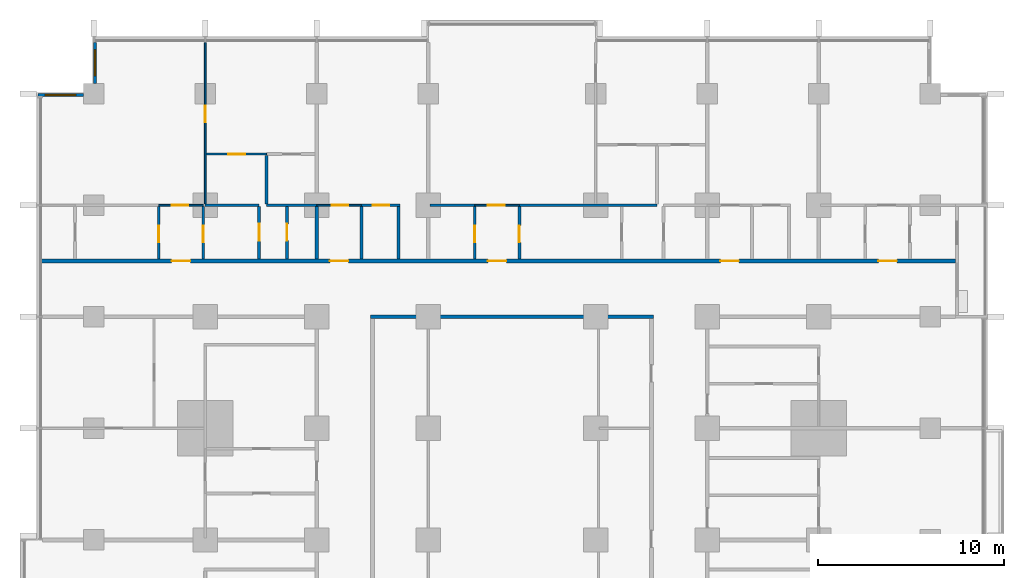
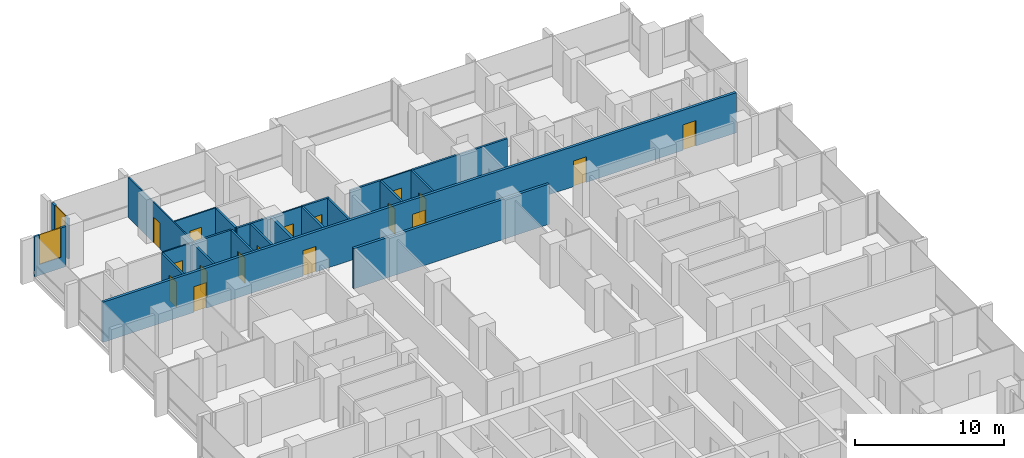
# One storey, part 11 of 18: 24 walls, 17 doors, 2 windows, 19 openings.
"""IFC4 building model written with IfcOpenShell, lengths in metres."""

from ifc_helpers import new_model, si_unit, direction, frame, frame_2d, origin, place, context, subcontext, project, spatial, rectangle, extrude, material, layer, layer_set, type_object, element, fill, save


model = new_model("IFC4")

# Units and contexts
model_context = context("Model", 3, precision=1e-05, world=origin(), true_north=direction((0.0, 1.0)))
body_context = subcontext(model_context, "Body", "Model", "MODEL_VIEW")
ifc_project = project(units=[si_unit("LENGTHUNIT", "METRE"), si_unit("AREAUNIT", "SQUARE_METRE"), si_unit("VOLUMEUNIT", "CUBIC_METRE"), si_unit("PLANEANGLEUNIT", "RADIAN"), si_unit("MASSUNIT", "GRAM", prefix="KILO")], contexts=[model_context])

# Site, building, storey
site_placement = place(None, origin())
site = spatial("IfcSite", under=ifc_project, at=site_placement, CompositionType="ELEMENT")
building_placement = place(site_placement, origin())
building = spatial("IfcBuilding", under=site, at=building_placement, Name="Finial Court Residences", CompositionType="ELEMENT")
storey_placement = place(building_placement, frame((0.0, 0.0, 54.10009765625)))
storey = spatial("IfcBuildingStorey", under=building, at=storey_placement, Name="L12", CompositionType="ELEMENT", Elevation=54.10009765625)

# Walls
ifc_material_1 = material(Name="Gypsum board")
ifc_layer_1 = layer(ifc_material_1, 0.02490234375)
ifc_material_2 = material(Name="Acoustic mineral wool in double frame")
ifc_layer_2 = layer(ifc_material_2, 0.14990234375)
ifc_layer_3 = layer(ifc_material_1, 0.02490234375)
ifc_layer_set_1 = layer_set([ifc_layer_1, ifc_layer_2, ifc_layer_3], Name="Acoustic party wall 200, 1 hour")
wall_type_1 = type_object("IfcWallType", Name="Acoustic party wall 200, 1 hour", PredefinedType="PARTITIONING", material=ifc_layer_set_1)
wall_1_placement = place(storey_placement, frame((-10.5, 16.60009765625, 0.0), z_axis=(0.0, 0.0, 1.0), x_axis=(0.0, 1.0, 0.0)))
element("IfcWall", 1, at=wall_1_placement, inside=storey, type_object=wall_type_1, Name="Partition L12-074", PredefinedType="PARTITIONING", context=body_context, shape_type="SweptSolid", body=[
    extrude(rectangle(XDim=2.824951171875, YDim=0.199951171875, at=frame_2d((1.41259765625, 0.0))), origin(), (0.0, 0.0, 1.0), 3.2998046875),
])
ifc_layer_4 = layer(ifc_material_1, 0.02490234375)
ifc_layer_5 = layer(ifc_material_2, 0.14990234375)
ifc_layer_6 = layer(ifc_material_1, 0.02490234375)
ifc_layer_set_2 = layer_set([ifc_layer_4, ifc_layer_5, ifc_layer_6], Name="Corridor wall 200, 1 hour")
wall_type_2 = type_object("IfcWallType", Name="Corridor wall 200, 1 hour", PredefinedType="PARTITIONING", material=ifc_layer_set_2)
wall_2_placement = place(storey_placement, frame((-7.60009765625, 13.5, 0.0), z_axis=(0.0, 0.0, 1.0), x_axis=(1.0, 0.0, 0.0)))
element("IfcWall", 2, at=wall_2_placement, inside=storey, type_object=wall_type_2, Name="Partition L12-032", PredefinedType="PARTITIONING", context=body_context, shape_type="SweptSolid", body=[
    extrude(rectangle(XDim=15.2001953125, YDim=0.199951171875, at=frame_2d((7.60009765625, 0.0))), origin(), (0.0, 0.0, 1.0), 3.2998046875),
])

# Wall, openings, doors
wall_3_placement = place(storey_placement, frame((-25.35009765625, 16.5, 0.0), z_axis=(0.0, 0.0, 1.0), x_axis=(1.0, 0.0, 0.0)))
wall_3 = element("IfcWall", 3, at=wall_3_placement, inside=storey, type_object=wall_type_2, Name="Partition L12-034", PredefinedType="PARTITIONING", context=body_context, shape_type="SweptSolid", body=[
    extrude(rectangle(XDim=49.2001953125, YDim=0.199951171875, at=frame_2d((24.60009765625, 0.0))), origin(), (0.0, 0.0, 1.0), 3.2998046875),
])
opening_1_placement = place(wall_3_placement, frame((7.050048828125, 0.0, 0.0)))
opening_1 = element("IfcOpeningElement", 4, at=opening_1_placement, cuts=wall_3, Name="Opening L12-D015", PredefinedType="OPENING", context=body_context, shape_type="SweptSolid", body=[
    extrude(rectangle(XDim=1.0, YDim=2.10009765625, at=frame_2d((0.5, 1.050048828125))), frame((0.0, 0.10986328125, 0.0), z_axis=(0.0, -1.0, 0.0), x_axis=(1.0, 0.0, 0.0)), (0.0, 0.0, 1.0), 0.219970703125),
])
opening_2_placement = place(wall_3_placement, frame((15.550048828125, 0.0, 0.0)))
opening_2 = element("IfcOpeningElement", 5, at=opening_2_placement, cuts=wall_3, Name="Opening L12-D016", PredefinedType="OPENING", context=body_context, shape_type="SweptSolid", body=[
    extrude(rectangle(XDim=1.0, YDim=2.10009765625, at=frame_2d((0.5, 1.050048828125))), frame((0.0, 0.10986328125, 0.0), z_axis=(0.0, -1.0, 0.0), x_axis=(1.0, 0.0, 0.0)), (0.0, 0.0, 1.0), 0.219970703125),
])
opening_3_placement = place(wall_3_placement, frame((24.050048828125, 0.0, 0.0)))
opening_3 = element("IfcOpeningElement", 6, at=opening_3_placement, cuts=wall_3, Name="Opening L12-D017", PredefinedType="OPENING", context=body_context, shape_type="SweptSolid", body=[
    extrude(rectangle(XDim=1.0, YDim=2.10009765625, at=frame_2d((0.5, 1.050048828125))), frame((0.0, 0.10986328125, 0.0), z_axis=(0.0, -1.0, 0.0), x_axis=(1.0, 0.0, 0.0)), (0.0, 0.0, 1.0), 0.219970703125),
])
opening_4_placement = place(wall_3_placement, frame((36.550048828125, 0.0, 0.0)))
opening_4 = element("IfcOpeningElement", 7, at=opening_4_placement, cuts=wall_3, Name="Opening L12-D018", PredefinedType="OPENING", context=body_context, shape_type="SweptSolid", body=[
    extrude(rectangle(XDim=1.0, YDim=2.10009765625, at=frame_2d((0.5, 1.050048828125))), frame((0.0, 0.10986328125, 0.0), z_axis=(0.0, -1.0, 0.0), x_axis=(1.0, 0.0, 0.0)), (0.0, 0.0, 1.0), 0.219970703125),
])
opening_5_placement = place(wall_3_placement, frame((45.050048828125, 0.0, 0.0)))
opening_5 = element("IfcOpeningElement", 8, at=opening_5_placement, cuts=wall_3, Name="Opening L12-D019", PredefinedType="OPENING", context=body_context, shape_type="SweptSolid", body=[
    extrude(rectangle(XDim=1.0, YDim=2.10009765625, at=frame_2d((0.5, 1.050048828125))), frame((0.0, 0.10986328125, 0.0), z_axis=(0.0, -1.0, 0.0), x_axis=(1.0, 0.0, 0.0)), (0.0, 0.0, 1.0), 0.219970703125),
])
ifc_material_3 = material(Name="Timber door leaf in hollow metal frame", Category="wood")
door_type_1 = type_object("IfcDoorType", Name="Fire door set 1000 x 2100, 30 minutes", OperationType="SINGLE_SWING_LEFT", PredefinedType="DOOR", material=ifc_material_3)
door_1_placement = place(opening_1_placement, origin())
door_1 = element("IfcDoor", 9, at=door_1_placement, inside=storey, type_object=door_type_1, Name="Door L12-D015", OperationType="SINGLE_SWING_RIGHT", OverallHeight=2.10009765625, OverallWidth=1.0, PredefinedType="DOOR", context=body_context, shape_type="SweptSolid", body=[
    extrude(rectangle(XDim=1.0, YDim=2.10009765625, at=frame_2d((0.5, 1.050048828125))), frame((0.0, 0.02490234375, 0.0), z_axis=(0.0, -1.0, 0.0), x_axis=(1.0, 0.0, 0.0)), (0.0, 0.0, 1.0), 0.050048828125),
])
fill(opening_1, door_1)
door_2_placement = place(opening_2_placement, origin())
door_2 = element("IfcDoor", 10, at=door_2_placement, inside=storey, type_object=door_type_1, Name="Door L12-D016", OperationType="SINGLE_SWING_RIGHT", OverallHeight=2.10009765625, OverallWidth=1.0, PredefinedType="DOOR", context=body_context, shape_type="SweptSolid", body=[
    extrude(rectangle(XDim=1.0, YDim=2.10009765625, at=frame_2d((0.5, 1.050048828125))), frame((0.0, 0.02490234375, 0.0), z_axis=(0.0, -1.0, 0.0), x_axis=(1.0, 0.0, 0.0)), (0.0, 0.0, 1.0), 0.050048828125),
])
fill(opening_2, door_2)
door_3_placement = place(opening_3_placement, origin())
door_3 = element("IfcDoor", 11, at=door_3_placement, inside=storey, type_object=door_type_1, Name="Door L12-D017", OperationType="SINGLE_SWING_RIGHT", OverallHeight=2.10009765625, OverallWidth=1.0, PredefinedType="DOOR", context=body_context, shape_type="SweptSolid", body=[
    extrude(rectangle(XDim=1.0, YDim=2.10009765625, at=frame_2d((0.5, 1.050048828125))), frame((0.0, 0.02490234375, 0.0), z_axis=(0.0, -1.0, 0.0), x_axis=(1.0, 0.0, 0.0)), (0.0, 0.0, 1.0), 0.050048828125),
])
fill(opening_3, door_3)
door_4_placement = place(opening_4_placement, origin())
door_4 = element("IfcDoor", 12, at=door_4_placement, inside=storey, type_object=door_type_1, Name="Door L12-D018", OperationType="SINGLE_SWING_LEFT", OverallHeight=2.10009765625, OverallWidth=1.0, PredefinedType="DOOR", context=body_context, shape_type="SweptSolid", body=[
    extrude(rectangle(XDim=1.0, YDim=2.10009765625, at=frame_2d((0.5, 1.050048828125))), frame((0.0, 0.02490234375, 0.0), z_axis=(0.0, -1.0, 0.0), x_axis=(1.0, 0.0, 0.0)), (0.0, 0.0, 1.0), 0.050048828125),
])
fill(opening_4, door_4)
door_5_placement = place(opening_5_placement, origin())
door_5 = element("IfcDoor", 13, at=door_5_placement, inside=storey, type_object=door_type_1, Name="Door L12-D019", OperationType="SINGLE_SWING_LEFT", OverallHeight=2.10009765625, OverallWidth=1.0, PredefinedType="DOOR", context=body_context, shape_type="SweptSolid", body=[
    extrude(rectangle(XDim=1.0, YDim=2.10009765625, at=frame_2d((0.5, 1.050048828125))), frame((0.0, 0.02490234375, 0.0), z_axis=(0.0, -1.0, 0.0), x_axis=(1.0, 0.0, 0.0)), (0.0, 0.0, 1.0), 0.050048828125),
])
fill(opening_5, door_5)

# Wall, opening, door
ifc_layer_7 = layer(ifc_material_1, 0.012451171875)
ifc_material_4 = material(Name="Mineral wool in light-gauge frame")
ifc_layer_8 = layer(ifc_material_4, 0.074951171875)
ifc_layer_9 = layer(ifc_material_1, 0.012451171875)
ifc_layer_set_3 = layer_set([ifc_layer_7, ifc_layer_8, ifc_layer_9], Name="Gypsum board partition 100")
wall_type_3 = type_object("IfcWallType", Name="Gypsum board partition 100", PredefinedType="PARTITIONING", material=ifc_layer_set_3)
wall_4_placement = place(storey_placement, frame((-19.0, 19.5, 0.0), z_axis=(0.0, 0.0, 1.0), x_axis=(1.0, 0.0, 0.0)))
wall_4 = element("IfcWall", 14, at=wall_4_placement, inside=storey, type_object=wall_type_3, Name="Partition L12-036", PredefinedType="PARTITIONING", context=body_context, shape_type="SweptSolid", body=[
    extrude(rectangle(XDim=2.39990234375, YDim=0.10009765625, at=frame_2d((1.199951171875, 0.0))), origin(), (0.0, 0.0, 1.0), 3.2998046875),
])
opening_6_placement = place(wall_4_placement, frame((0.699951171875, 0.0, 0.0)))
opening_6 = element("IfcOpeningElement", 15, at=opening_6_placement, cuts=wall_4, Name="Opening L12-D020", PredefinedType="OPENING", context=body_context, shape_type="SweptSolid", body=[
    extrude(rectangle(XDim=0.89990234375, YDim=2.10009765625, at=frame_2d((0.449951171875, 1.050048828125))), frame((0.0, 0.06005859375, 0.0), z_axis=(0.0, -1.0, 0.0), x_axis=(1.0, 0.0, 0.0)), (0.0, 0.0, 1.0), 0.1201171875),
])
ifc_material_5 = material(Name="Timber door leaf in timber frame", Category="wood")
door_type_2 = type_object("IfcDoorType", Name="Door set 900 x 2100", OperationType="SINGLE_SWING_LEFT", PredefinedType="DOOR", material=ifc_material_5)
door_6_placement = place(opening_6_placement, origin())
door_6 = element("IfcDoor", 16, at=door_6_placement, inside=storey, type_object=door_type_2, Name="Door L12-D020", OperationType="SINGLE_SWING_RIGHT", OverallHeight=2.10009765625, OverallWidth=0.89990234375, PredefinedType="DOOR", context=body_context, shape_type="SweptSolid", body=[
    extrude(rectangle(XDim=0.89990234375, YDim=2.10009765625, at=frame_2d((0.449951171875, 1.050048828125))), frame((0.0, 0.02490234375, 0.0), z_axis=(0.0, -1.0, 0.0), x_axis=(1.0, 0.0, 0.0)), (0.0, 0.0, 1.0), 0.050048828125),
])
fill(opening_6, door_6)

wall_5_placement = place(storey_placement, frame((-10.5, 19.5, 0.0), z_axis=(0.0, 0.0, 1.0), x_axis=(1.0, 0.0, 0.0)))
wall_5 = element("IfcWall", 17, at=wall_5_placement, inside=storey, type_object=wall_type_3, Name="Partition L12-037", PredefinedType="PARTITIONING", context=body_context, shape_type="SweptSolid", body=[
    extrude(rectangle(XDim=2.39990234375, YDim=0.10009765625, at=frame_2d((1.199951171875, 0.0))), origin(), (0.0, 0.0, 1.0), 3.2998046875),
])
opening_7_placement = place(wall_5_placement, frame((0.800048828125, 0.0, 0.0)))
opening_7 = element("IfcOpeningElement", 18, at=opening_7_placement, cuts=wall_5, Name="Opening L12-D021", PredefinedType="OPENING", context=body_context, shape_type="SweptSolid", body=[
    extrude(rectangle(XDim=0.89990234375, YDim=2.10009765625, at=frame_2d((0.449951171875, 1.050048828125))), frame((0.0, 0.06005859375, 0.0), z_axis=(0.0, -1.0, 0.0), x_axis=(1.0, 0.0, 0.0)), (0.0, 0.0, 1.0), 0.1201171875),
])
door_7_placement = place(opening_7_placement, origin())
door_7 = element("IfcDoor", 19, at=door_7_placement, inside=storey, type_object=door_type_2, Name="Door L12-D021", OperationType="SINGLE_SWING_RIGHT", OverallHeight=2.10009765625, OverallWidth=0.89990234375, PredefinedType="DOOR", context=body_context, shape_type="SweptSolid", body=[
    extrude(rectangle(XDim=0.89990234375, YDim=2.10009765625, at=frame_2d((0.449951171875, 1.050048828125))), frame((0.0, 0.02490234375, 0.0), z_axis=(0.0, -1.0, 0.0), x_axis=(1.0, 0.0, 0.0)), (0.0, 0.0, 1.0), 0.050048828125),
])
fill(opening_7, door_7)

wall_6_placement = place(storey_placement, frame((-2.0, 19.5, 0.0), z_axis=(0.0, 0.0, 1.0), x_axis=(1.0, 0.0, 0.0)))
wall_6 = element("IfcWall", 20, at=wall_6_placement, inside=storey, type_object=wall_type_3, Name="Partition L12-038", PredefinedType="PARTITIONING", context=body_context, shape_type="SweptSolid", body=[
    extrude(rectangle(XDim=2.39990234375, YDim=0.10009765625, at=frame_2d((1.199951171875, 0.0))), origin(), (0.0, 0.0, 1.0), 3.2998046875),
])
opening_8_placement = place(wall_6_placement, frame((0.699951171875, 0.0, 0.0)))
opening_8 = element("IfcOpeningElement", 21, at=opening_8_placement, cuts=wall_6, Name="Opening L12-D022", PredefinedType="OPENING", context=body_context, shape_type="SweptSolid", body=[
    extrude(rectangle(XDim=0.89990234375, YDim=2.10009765625, at=frame_2d((0.449951171875, 1.050048828125))), frame((0.0, 0.06005859375, 0.0), z_axis=(0.0, -1.0, 0.0), x_axis=(1.0, 0.0, 0.0)), (0.0, 0.0, 1.0), 0.1201171875),
])
door_8_placement = place(opening_8_placement, origin())
door_8 = element("IfcDoor", 22, at=door_8_placement, inside=storey, type_object=door_type_2, Name="Door L12-D022", OperationType="SINGLE_SWING_LEFT", OverallHeight=2.10009765625, OverallWidth=0.89990234375, PredefinedType="DOOR", context=body_context, shape_type="SweptSolid", body=[
    extrude(rectangle(XDim=0.89990234375, YDim=2.10009765625, at=frame_2d((0.449951171875, 1.050048828125))), frame((0.0, 0.02490234375, 0.0), z_axis=(0.0, -1.0, 0.0), x_axis=(1.0, 0.0, 0.0)), (0.0, 0.0, 1.0), 0.050048828125),
])
fill(opening_8, door_8)

wall_7_placement = place(storey_placement, frame((-16.449951171875, 22.25, 0.0), z_axis=(0.0, 0.0, 1.0), x_axis=(1.0, 0.0, 0.0)))
wall_7 = element("IfcWall", 23, at=wall_7_placement, inside=storey, type_object=wall_type_3, Name="Partition L12-051", PredefinedType="PARTITIONING", context=body_context, shape_type="SweptSolid", body=[
    extrude(rectangle(XDim=3.25, YDim=0.10009765625, at=frame_2d((1.625, 0.0))), origin(), (0.0, 0.0, 1.0), 3.2998046875),
])
opening_9_placement = place(wall_7_placement, frame((1.199951171875, 0.0, 0.0)))
opening_9 = element("IfcOpeningElement", 24, at=opening_9_placement, cuts=wall_7, Name="Opening L12-D027", PredefinedType="OPENING", context=body_context, shape_type="SweptSolid", body=[
    extrude(rectangle(XDim=0.89990234375, YDim=2.10009765625, at=frame_2d((0.449951171875, 1.050048828125))), frame((0.0, 0.06005859375, 0.0), z_axis=(0.0, -1.0, 0.0), x_axis=(1.0, 0.0, 0.0)), (0.0, 0.0, 1.0), 0.1201171875),
])
door_9_placement = place(opening_9_placement, origin())
door_9 = element("IfcDoor", 25, at=door_9_placement, inside=storey, type_object=door_type_2, Name="Door L12-D027", OperationType="SINGLE_SWING_RIGHT", OverallHeight=2.10009765625, OverallWidth=0.89990234375, PredefinedType="DOOR", context=body_context, shape_type="SweptSolid", body=[
    extrude(rectangle(XDim=0.89990234375, YDim=2.10009765625, at=frame_2d((0.449951171875, 1.050048828125))), frame((0.0, 0.02490234375, 0.0), z_axis=(0.0, -1.0, 0.0), x_axis=(1.0, 0.0, 0.0)), (0.0, 0.0, 1.0), 0.050048828125),
])
fill(opening_9, door_9)

wall_8_placement = place(storey_placement, frame((-16.5, 19.574951171875, 0.0), z_axis=(0.0, 0.0, 1.0), x_axis=(0.0, 1.0, 0.0)))
wall_8 = element("IfcWall", 26, at=wall_8_placement, inside=storey, type_object=wall_type_3, Name="Partition L12-064", PredefinedType="PARTITIONING", context=body_context, shape_type="SweptSolid", body=[
    extrude(rectangle(XDim=8.675048828125, YDim=0.10009765625, at=frame_2d((4.33740234375, 0.0))), origin(), (0.0, 0.0, 1.0), 3.2998046875),
])
opening_10_placement = place(wall_8_placement, frame((4.375, 0.0, 0.0)))
opening_10 = element("IfcOpeningElement", 27, at=opening_10_placement, cuts=wall_8, Name="Opening L12-D039", PredefinedType="OPENING", context=body_context, shape_type="SweptSolid", body=[
    extrude(rectangle(XDim=0.89990234375, YDim=2.10009765625, at=frame_2d((0.449951171875, 1.050048828125))), frame((0.0, 0.06005859375, 0.0), z_axis=(0.0, -1.0, 0.0), x_axis=(1.0, 0.0, 0.0)), (0.0, 0.0, 1.0), 0.1201171875),
])
door_10_placement = place(opening_10_placement, origin())
door_10 = element("IfcDoor", 28, at=door_10_placement, inside=storey, type_object=door_type_2, Name="Door L12-D039", OperationType="SINGLE_SWING_RIGHT", OverallHeight=2.10009765625, OverallWidth=0.89990234375, PredefinedType="DOOR", context=body_context, shape_type="SweptSolid", body=[
    extrude(rectangle(XDim=0.89990234375, YDim=2.10009765625, at=frame_2d((0.449951171875, 1.050048828125))), frame((0.0, 0.02490234375, 0.0), z_axis=(0.0, -1.0, 0.0), x_axis=(1.0, 0.0, 0.0)), (0.0, 0.0, 1.0), 0.050048828125),
])
fill(opening_10, door_10)

# Walls
ifc_material_6 = material(Name="Moisture-resistant gypsum board")
ifc_layer_10 = layer(ifc_material_6, 0.012451171875)
ifc_layer_11 = layer(ifc_material_4, 0.125)
ifc_layer_12 = layer(ifc_material_6, 0.012451171875)
ifc_layer_set_4 = layer_set([ifc_layer_10, ifc_layer_11, ifc_layer_12], Name="Gypsum board wet-area partition 150")
wall_type_4 = type_object("IfcWallType", Name="Gypsum board wet-area partition 150", PredefinedType="PARTITIONING", material=ifc_layer_set_4)
wall_9_placement = place(storey_placement, frame((-16.5, 19.5, 0.0), z_axis=(0.0, 0.0, 1.0), x_axis=(1.0, 0.0, 0.0)))
element("IfcWall", 29, at=wall_9_placement, inside=storey, type_object=wall_type_4, Name="Partition L12-042", PredefinedType="PARTITIONING", context=body_context, shape_type="SweptSolid", body=[
    extrude(rectangle(XDim=2.89990234375, YDim=0.14990234375, at=frame_2d((1.449951171875, 0.0))), origin(), (0.0, 0.0, 1.0), 3.2998046875),
])
wall_10_placement = place(storey_placement, frame((-13.199951171875, 19.5, 0.0), z_axis=(0.0, 0.0, 1.0), x_axis=(1.0, 0.0, 0.0)))
element("IfcWall", 30, at=wall_10_placement, inside=storey, type_object=wall_type_4, Name="Partition L12-043", PredefinedType="PARTITIONING", context=body_context, shape_type="SweptSolid", body=[
    extrude(rectangle(XDim=2.699951171875, YDim=0.14990234375, at=frame_2d((1.35009765625, 0.0))), origin(), (0.0, 0.0, 1.0), 3.2998046875),
])

# Wall, opening, door
wall_11_placement = place(storey_placement, frame((-8.10009765625, 19.5, 0.0), z_axis=(0.0, 0.0, 1.0), x_axis=(1.0, 0.0, 0.0)))
wall_11 = element("IfcWall", 31, at=wall_11_placement, inside=storey, type_object=wall_type_4, Name="Partition L12-044", PredefinedType="PARTITIONING", context=body_context, shape_type="SweptSolid", body=[
    extrude(rectangle(XDim=2.0751953125, YDim=0.14990234375, at=frame_2d((1.03759765625, 0.0))), origin(), (0.0, 0.0, 1.0), 3.2998046875),
])
opening_11_placement = place(wall_11_placement, frame((0.60009765625, 0.0, 0.0)))
opening_11 = element("IfcOpeningElement", 32, at=opening_11_placement, cuts=wall_11, Name="Opening L12-D025", PredefinedType="OPENING", context=body_context, shape_type="SweptSolid", body=[
    extrude(rectangle(XDim=0.89990234375, YDim=2.10009765625, at=frame_2d((0.449951171875, 1.050048828125))), frame((0.0, 0.0849609375, 0.0), z_axis=(0.0, -1.0, 0.0), x_axis=(1.0, 0.0, 0.0)), (0.0, 0.0, 1.0), 0.169921875),
])
door_11_placement = place(opening_11_placement, origin())
door_11 = element("IfcDoor", 33, at=door_11_placement, inside=storey, type_object=door_type_2, Name="Door L12-D025", OperationType="SINGLE_SWING_RIGHT", OverallHeight=2.10009765625, OverallWidth=0.89990234375, PredefinedType="DOOR", context=body_context, shape_type="SweptSolid", body=[
    extrude(rectangle(XDim=0.89990234375, YDim=2.10009765625, at=frame_2d((0.449951171875, 1.050048828125))), frame((0.0, 0.02490234375, 0.0), z_axis=(0.0, -1.0, 0.0), x_axis=(1.0, 0.0, 0.0)), (0.0, 0.0, 1.0), 0.050048828125),
])
fill(opening_11, door_11)

# Walls
wall_12_placement = place(storey_placement, frame((-4.39990234375, 19.5, 0.0), z_axis=(0.0, 0.0, 1.0), x_axis=(1.0, 0.0, 0.0)))
element("IfcWall", 34, at=wall_12_placement, inside=storey, type_object=wall_type_4, Name="Partition L12-045", PredefinedType="PARTITIONING", context=body_context, shape_type="SweptSolid", body=[
    extrude(rectangle(XDim=2.39990234375, YDim=0.14990234375, at=frame_2d((1.199951171875, 0.0))), origin(), (0.0, 0.0, 1.0), 3.2998046875),
])
wall_13_placement = place(storey_placement, frame((0.39990234375, 19.5, 0.0), z_axis=(0.0, 0.0, 1.0), x_axis=(1.0, 0.0, 0.0)))
element("IfcWall", 35, at=wall_13_placement, inside=storey, type_object=wall_type_4, Name="Partition L12-046", PredefinedType="PARTITIONING", context=body_context, shape_type="SweptSolid", body=[
    extrude(rectangle(XDim=7.400146484375, YDim=0.14990234375, at=frame_2d((3.7001953125, 0.0))), origin(), (0.0, 0.0, 1.0), 3.2998046875),
])

# Wall, opening, door
wall_14_placement = place(storey_placement, frame((-19.0, 16.60009765625, 0.0), z_axis=(0.0, 0.0, 1.0), x_axis=(0.0, 1.0, 0.0)))
wall_14 = element("IfcWall", 36, at=wall_14_placement, inside=storey, type_object=wall_type_4, Name="Partition L12-058", PredefinedType="PARTITIONING", context=body_context, shape_type="SweptSolid", body=[
    extrude(rectangle(XDim=2.824951171875, YDim=0.14990234375, at=frame_2d((1.41259765625, 0.0))), origin(), (0.0, 0.0, 1.0), 3.2998046875),
])
opening_12_placement = place(wall_14_placement, frame((0.89990234375, 0.0, 0.0)))
opening_12 = element("IfcOpeningElement", 37, at=opening_12_placement, cuts=wall_14, Name="Opening L12-D033", PredefinedType="OPENING", context=body_context, shape_type="SweptSolid", body=[
    extrude(rectangle(XDim=0.89990234375, YDim=2.10009765625, at=frame_2d((0.449951171875, 1.050048828125))), frame((0.0, 0.0849609375, 0.0), z_axis=(0.0, -1.0, 0.0), x_axis=(1.0, 0.0, 0.0)), (0.0, 0.0, 1.0), 0.169921875),
])
door_12_placement = place(opening_12_placement, origin())
door_12 = element("IfcDoor", 38, at=door_12_placement, inside=storey, type_object=door_type_2, Name="Door L12-D033", OperationType="SINGLE_SWING_LEFT", OverallHeight=2.10009765625, OverallWidth=0.89990234375, PredefinedType="DOOR", context=body_context, shape_type="SweptSolid", body=[
    extrude(rectangle(XDim=0.89990234375, YDim=2.10009765625, at=frame_2d((0.449951171875, 1.050048828125))), frame((0.0, 0.02490234375, 0.0), z_axis=(0.0, -1.0, 0.0), x_axis=(1.0, 0.0, 0.0)), (0.0, 0.0, 1.0), 0.050048828125),
])
fill(opening_12, door_12)

wall_15_placement = place(storey_placement, frame((-16.60009765625, 16.60009765625, 0.0), z_axis=(0.0, 0.0, 1.0), x_axis=(0.0, 1.0, 0.0)))
wall_15 = element("IfcWall", 39, at=wall_15_placement, inside=storey, type_object=wall_type_4, Name="Partition L12-059", PredefinedType="PARTITIONING", context=body_context, shape_type="SweptSolid", body=[
    extrude(rectangle(XDim=2.824951171875, YDim=0.14990234375, at=frame_2d((1.41259765625, 0.0))), origin(), (0.0, 0.0, 1.0), 3.2998046875),
])
opening_13_placement = place(wall_15_placement, frame((0.89990234375, 0.0, 0.0)))
opening_13 = element("IfcOpeningElement", 40, at=opening_13_placement, cuts=wall_15, Name="Opening L12-D034", PredefinedType="OPENING", context=body_context, shape_type="SweptSolid", body=[
    extrude(rectangle(XDim=0.89990234375, YDim=2.10009765625, at=frame_2d((0.449951171875, 1.050048828125))), frame((0.0, 0.0849609375, 0.0), z_axis=(0.0, -1.0, 0.0), x_axis=(1.0, 0.0, 0.0)), (0.0, 0.0, 1.0), 0.169921875),
])
door_13_placement = place(opening_13_placement, origin())
door_13 = element("IfcDoor", 41, at=door_13_placement, inside=storey, type_object=door_type_2, Name="Door L12-D034", OperationType="SINGLE_SWING_LEFT", OverallHeight=2.10009765625, OverallWidth=0.89990234375, PredefinedType="DOOR", context=body_context, shape_type="SweptSolid", body=[
    extrude(rectangle(XDim=0.89990234375, YDim=2.10009765625, at=frame_2d((0.449951171875, 1.050048828125))), frame((0.0, 0.02490234375, 0.0), z_axis=(0.0, -1.0, 0.0), x_axis=(1.0, 0.0, 0.0)), (0.0, 0.0, 1.0), 0.050048828125),
])
fill(opening_13, door_13)

wall_16_placement = place(storey_placement, frame((-13.60009765625, 16.60009765625, 0.0), z_axis=(0.0, 0.0, 1.0), x_axis=(0.0, 1.0, 0.0)))
wall_16 = element("IfcWall", 42, at=wall_16_placement, inside=storey, type_object=wall_type_4, Name="Partition L12-070", PredefinedType="PARTITIONING", context=body_context, shape_type="SweptSolid", body=[
    extrude(rectangle(XDim=2.824951171875, YDim=0.14990234375, at=frame_2d((1.41259765625, 0.0))), origin(), (0.0, 0.0, 1.0), 3.2998046875),
])
opening_14_placement = place(wall_16_placement, frame((1.0, 0.0, 0.0)))
opening_14 = element("IfcOpeningElement", 43, at=opening_14_placement, cuts=wall_16, Name="Opening L12-D042", PredefinedType="OPENING", context=body_context, shape_type="SweptSolid", body=[
    extrude(rectangle(XDim=0.89990234375, YDim=2.10009765625, at=frame_2d((0.449951171875, 1.050048828125))), frame((0.0, 0.0849609375, 0.0), z_axis=(0.0, -1.0, 0.0), x_axis=(1.0, 0.0, 0.0)), (0.0, 0.0, 1.0), 0.169921875),
])
door_14_placement = place(opening_14_placement, origin())
door_14 = element("IfcDoor", 44, at=door_14_placement, inside=storey, type_object=door_type_2, Name="Door L12-D042", OperationType="SINGLE_SWING_LEFT", OverallHeight=2.10009765625, OverallWidth=0.89990234375, PredefinedType="DOOR", context=body_context, shape_type="SweptSolid", body=[
    extrude(rectangle(XDim=0.89990234375, YDim=2.10009765625, at=frame_2d((0.449951171875, 1.050048828125))), frame((0.0, 0.02490234375, 0.0), z_axis=(0.0, -1.0, 0.0), x_axis=(1.0, 0.0, 0.0)), (0.0, 0.0, 1.0), 0.050048828125),
])
fill(opening_14, door_14)

# Wall
wall_17_placement = place(storey_placement, frame((-13.199951171875, 19.574951171875, 0.0), z_axis=(0.0, 0.0, 1.0), x_axis=(0.0, 1.0, 0.0)))
element("IfcWall", 45, at=wall_17_placement, inside=storey, type_object=wall_type_4, Name="Partition L12-071", PredefinedType="PARTITIONING", context=body_context, shape_type="SweptSolid", body=[
    extrude(rectangle(XDim=2.60009765625, YDim=0.14990234375, at=frame_2d((1.300048828125, 0.0))), origin(), (0.0, 0.0, 1.0), 3.2998046875),
])

# Wall, opening, door
wall_18_placement = place(storey_placement, frame((-12.10009765625, 16.60009765625, 0.0), z_axis=(0.0, 0.0, 1.0), x_axis=(0.0, 1.0, 0.0)))
wall_18 = element("IfcWall", 46, at=wall_18_placement, inside=storey, type_object=wall_type_4, Name="Partition L12-072", PredefinedType="PARTITIONING", context=body_context, shape_type="SweptSolid", body=[
    extrude(rectangle(XDim=2.824951171875, YDim=0.14990234375, at=frame_2d((1.41259765625, 0.0))), origin(), (0.0, 0.0, 1.0), 3.2998046875),
])
opening_15_placement = place(wall_18_placement, frame((1.0, 0.0, 0.0)))
opening_15 = element("IfcOpeningElement", 47, at=opening_15_placement, cuts=wall_18, Name="Opening L12-D043", PredefinedType="OPENING", context=body_context, shape_type="SweptSolid", body=[
    extrude(rectangle(XDim=0.89990234375, YDim=2.10009765625, at=frame_2d((0.449951171875, 1.050048828125))), frame((0.0, 0.0849609375, 0.0), z_axis=(0.0, -1.0, 0.0), x_axis=(1.0, 0.0, 0.0)), (0.0, 0.0, 1.0), 0.169921875),
])
door_15_placement = place(opening_15_placement, origin())
door_15 = element("IfcDoor", 48, at=door_15_placement, inside=storey, type_object=door_type_2, Name="Door L12-D043", OperationType="SINGLE_SWING_RIGHT", OverallHeight=2.10009765625, OverallWidth=0.89990234375, PredefinedType="DOOR", context=body_context, shape_type="SweptSolid", body=[
    extrude(rectangle(XDim=0.89990234375, YDim=2.10009765625, at=frame_2d((0.449951171875, 1.050048828125))), frame((0.0, 0.02490234375, 0.0), z_axis=(0.0, -1.0, 0.0), x_axis=(1.0, 0.0, 0.0)), (0.0, 0.0, 1.0), 0.050048828125),
])
fill(opening_15, door_15)

# Walls
for number, where, z_axis, x_axis, name in (
    (49, (-8.10009765625, 16.60009765625, 0.0), (0.0, 0.0, 1.0), (0.0, 1.0, 0.0), "Partition L12-076"),
    (50, (-6.10009765625, 16.60009765625, 0.0), (0.0, 0.0, 1.0), (0.0, 1.0, 0.0), "Partition L12-078"),
):
    element("IfcWall", number, at=place(storey_placement, frame(where, z_axis=z_axis, x_axis=x_axis)), inside=storey, type_object=wall_type_4, Name=name, PredefinedType="PARTITIONING", context=body_context, shape_type="SweptSolid", body=[
        extrude(rectangle(XDim=2.824951171875, YDim=0.14990234375, at=frame_2d((1.41259765625, 0.0))), origin(), (0.0, 0.0, 1.0), 3.2998046875),
    ])

# Wall, opening, door
wall_19_placement = place(storey_placement, frame((-2.0, 16.60009765625, 0.0), z_axis=(0.0, 0.0, 1.0), x_axis=(0.0, 1.0, 0.0)))
wall_19 = element("IfcWall", 51, at=wall_19_placement, inside=storey, type_object=wall_type_4, Name="Partition L12-081", PredefinedType="PARTITIONING", context=body_context, shape_type="SweptSolid", body=[
    extrude(rectangle(XDim=2.824951171875, YDim=0.14990234375, at=frame_2d((1.41259765625, 0.0))), origin(), (0.0, 0.0, 1.0), 3.2998046875),
])
opening_16_placement = place(wall_19_placement, frame((0.89990234375, 0.0, 0.0)))
opening_16 = element("IfcOpeningElement", 52, at=opening_16_placement, cuts=wall_19, Name="Opening L12-D045", PredefinedType="OPENING", context=body_context, shape_type="SweptSolid", body=[
    extrude(rectangle(XDim=0.89990234375, YDim=2.10009765625, at=frame_2d((0.449951171875, 1.050048828125))), frame((0.0, 0.0849609375, 0.0), z_axis=(0.0, -1.0, 0.0), x_axis=(1.0, 0.0, 0.0)), (0.0, 0.0, 1.0), 0.169921875),
])
door_16_placement = place(opening_16_placement, origin())
door_16 = element("IfcDoor", 53, at=door_16_placement, inside=storey, type_object=door_type_2, Name="Door L12-D045", OperationType="SINGLE_SWING_RIGHT", OverallHeight=2.10009765625, OverallWidth=0.89990234375, PredefinedType="DOOR", context=body_context, shape_type="SweptSolid", body=[
    extrude(rectangle(XDim=0.89990234375, YDim=2.10009765625, at=frame_2d((0.449951171875, 1.050048828125))), frame((0.0, 0.02490234375, 0.0), z_axis=(0.0, -1.0, 0.0), x_axis=(1.0, 0.0, 0.0)), (0.0, 0.0, 1.0), 0.050048828125),
])
fill(opening_16, door_16)

wall_20_placement = place(storey_placement, frame((0.39990234375, 16.60009765625, 0.0), z_axis=(0.0, 0.0, 1.0), x_axis=(0.0, 1.0, 0.0)))
wall_20 = element("IfcWall", 54, at=wall_20_placement, inside=storey, type_object=wall_type_4, Name="Partition L12-082", PredefinedType="PARTITIONING", context=body_context, shape_type="SweptSolid", body=[
    extrude(rectangle(XDim=2.824951171875, YDim=0.14990234375, at=frame_2d((1.41259765625, 0.0))), origin(), (0.0, 0.0, 1.0), 3.2998046875),
])
opening_17_placement = place(wall_20_placement, frame((0.89990234375, 0.0, 0.0)))
opening_17 = element("IfcOpeningElement", 55, at=opening_17_placement, cuts=wall_20, Name="Opening L12-D046", PredefinedType="OPENING", context=body_context, shape_type="SweptSolid", body=[
    extrude(rectangle(XDim=0.89990234375, YDim=2.10009765625, at=frame_2d((0.449951171875, 1.050048828125))), frame((0.0, 0.0849609375, 0.0), z_axis=(0.0, -1.0, 0.0), x_axis=(1.0, 0.0, 0.0)), (0.0, 0.0, 1.0), 0.169921875),
])
door_17_placement = place(opening_17_placement, origin())
door_17 = element("IfcDoor", 56, at=door_17_placement, inside=storey, type_object=door_type_2, Name="Door L12-D046", OperationType="SINGLE_SWING_LEFT", OverallHeight=2.10009765625, OverallWidth=0.89990234375, PredefinedType="DOOR", context=body_context, shape_type="SweptSolid", body=[
    extrude(rectangle(XDim=0.89990234375, YDim=2.10009765625, at=frame_2d((0.449951171875, 1.050048828125))), frame((0.0, 0.02490234375, 0.0), z_axis=(0.0, -1.0, 0.0), x_axis=(1.0, 0.0, 0.0)), (0.0, 0.0, 1.0), 0.050048828125),
])
fill(opening_17, door_17)

# Wall, opening, window
ifc_material_7 = material(Name="Natural limestone", Category="masonry")
ifc_layer_13 = layer(ifc_material_7, 0.14990234375)
ifc_layer_set_5 = layer_set([ifc_layer_13], Name="Limestone clad wall 150")
wall_type_5 = type_object("IfcWallType", Name="Limestone clad wall 150", PredefinedType="SOLIDWALL", material=ifc_layer_set_5)
wall_21_placement = place(storey_placement, frame((-22.425048828125, 26.050048828125, 0.0), z_axis=(0.0, 0.0, 1.0), x_axis=(0.0, 1.0, 0.0)))
wall_21 = element("IfcWall", 57, at=wall_21_placement, inside=storey, type_object=wall_type_5, Name="E-L12-NWW17", PredefinedType="SOLIDWALL", context=body_context, shape_type="SweptSolid", body=[
    extrude(rectangle(XDim=2.199951171875, YDim=0.14990234375, at=frame_2d((1.10009765625, 0.0))), origin(), (0.0, 0.0, 1.0), 3.2998046875),
])
opening_18_placement = place(wall_21_placement, frame((0.39990234375, 0.0, 0.89990234375)))
opening_18 = element("IfcOpeningElement", 58, at=opening_18_placement, cuts=wall_21, Name="Opening WE12-05", PredefinedType="OPENING", context=body_context, shape_type="SweptSolid", body=[
    extrude(rectangle(XDim=1.39990234375, YDim=2.39990234375, at=frame_2d((0.699951171875, 1.199951171875))), frame((0.0, 0.0849609375, 0.0), z_axis=(0.0, -1.0, 0.0), x_axis=(1.0, 0.0, 0.0)), (0.0, 0.0, 1.0), 0.169921875),
])
ifc_material_8 = material(Name="Clear low-e glass", Category="glass")
window_type_1 = type_object("IfcWindowType", Name="Corner window 1400 x 2400", PartitioningType="SINGLE_PANEL", PredefinedType="WINDOW", material=ifc_material_8)
window_1_placement = place(opening_18_placement, origin())
window_1 = element("IfcWindow", 59, at=window_1_placement, inside=storey, type_object=window_type_1, Name="E-L12-NWW17-W1", OverallHeight=2.39990234375, OverallWidth=1.39990234375, PartitioningType="SINGLE_PANEL", PredefinedType="WINDOW", context=body_context, shape_type="SweptSolid", body=[
    extrude(rectangle(XDim=1.39990234375, YDim=2.39990234375, at=frame_2d((0.699951171875, 1.199951171875))), frame((0.0, 0.030029296875, 0.0), z_axis=(0.0, -1.0, 0.0), x_axis=(1.0, 0.0, 0.0)), (0.0, 0.0, 1.0), 0.06005859375),
])
fill(opening_18, window_1)

wall_22_placement = place(storey_placement, frame((-25.5, 25.425048828125, 0.0), z_axis=(0.0, 0.0, 1.0), x_axis=(1.0, 0.0, 0.0)))
wall_22 = element("IfcWall", 60, at=wall_22_placement, inside=storey, type_object=wall_type_5, Name="E-L12-NWN18", PredefinedType="SOLIDWALL", context=body_context, shape_type="SweptSolid", body=[
    extrude(rectangle(XDim=2.449951171875, YDim=0.14990234375, at=frame_2d((1.22509765625, 0.0))), origin(), (0.0, 0.0, 1.0), 3.2998046875),
])
opening_19_placement = place(wall_22_placement, frame((0.39990234375, 0.0, 0.89990234375)))
opening_19 = element("IfcOpeningElement", 61, at=opening_19_placement, cuts=wall_22, Name="Opening WE12-06", PredefinedType="OPENING", context=body_context, shape_type="SweptSolid", body=[
    extrude(rectangle(XDim=1.64990234375, YDim=2.39990234375, at=frame_2d((0.824951171875, 1.199951171875))), frame((0.0, 0.0849609375, 0.0), z_axis=(0.0, -1.0, 0.0), x_axis=(1.0, 0.0, 0.0)), (0.0, 0.0, 1.0), 0.169921875),
])
window_type_2 = type_object("IfcWindowType", Name="Corner window 1650 x 2400", PartitioningType="SINGLE_PANEL", PredefinedType="WINDOW", material=ifc_material_8)
window_2_placement = place(opening_19_placement, origin())
window_2 = element("IfcWindow", 62, at=window_2_placement, inside=storey, type_object=window_type_2, Name="E-L12-NWN18-W1", OverallHeight=2.39990234375, OverallWidth=1.64990234375, PartitioningType="SINGLE_PANEL", PredefinedType="WINDOW", context=body_context, shape_type="SweptSolid", body=[
    extrude(rectangle(XDim=1.64990234375, YDim=2.39990234375, at=frame_2d((0.824951171875, 1.199951171875))), frame((0.0, 0.030029296875, 0.0), z_axis=(0.0, -1.0, 0.0), x_axis=(1.0, 0.0, 0.0)), (0.0, 0.0, 1.0), 0.06005859375),
])
fill(opening_19, window_2)

save(model, "model.ifc")
